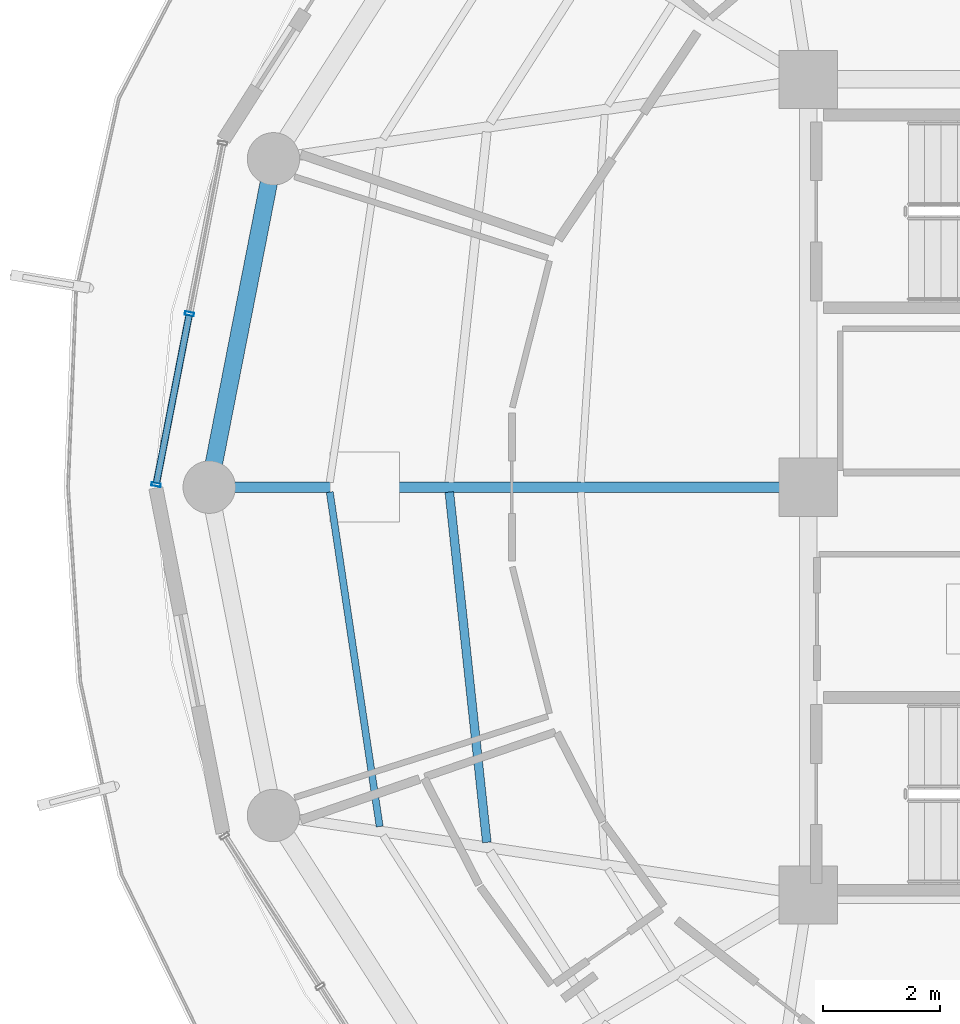
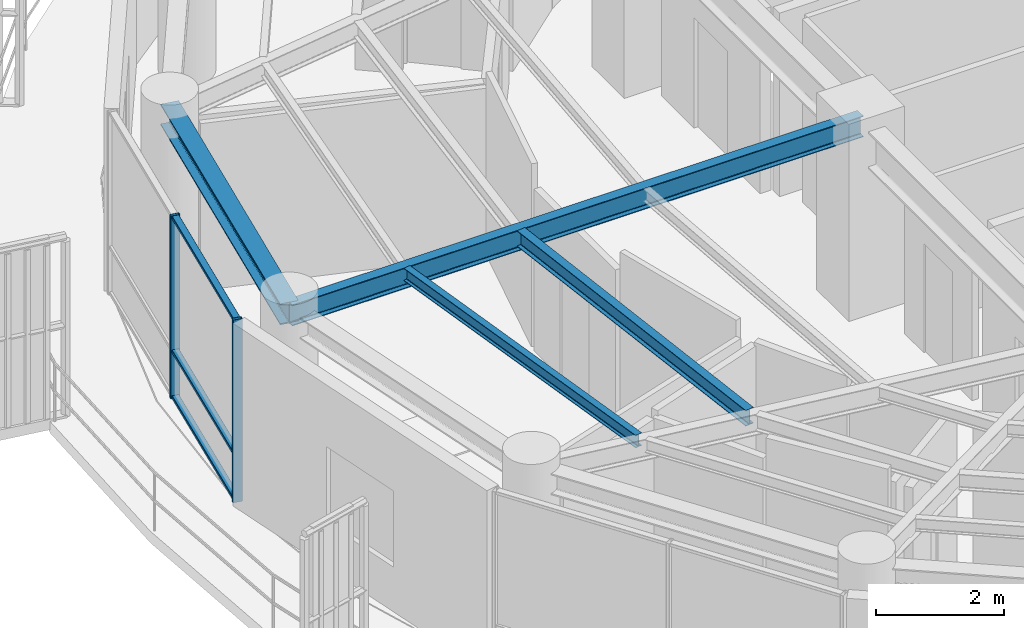
# One storey, part 5 of 22: 5 members, 4 beams, 1 element without a shape of its own.
"""IFC4 building model written with IfcOpenShell, lengths in metres."""

from ifc_helpers import new_model, si_unit, direction, frame, origin, origin_2d, place, context, subcontext, project, spatial, hollow_rectangle, i_section, extrude, material, layer, layer_set, material_profile, profile_set, type_object, element, aggregate, save


model = new_model("IFC4")

# Units and contexts
model_context = context("Model", 3, precision=1e-05, world=origin(), true_north=direction((0.0, 1.0)))
body_context = subcontext(model_context, "Body", "Model", "MODEL_VIEW")
ifc_project = project(units=[si_unit("LENGTHUNIT", "METRE"), si_unit("AREAUNIT", "SQUARE_METRE"), si_unit("VOLUMEUNIT", "CUBIC_METRE"), si_unit("PLANEANGLEUNIT", "RADIAN"), si_unit("MASSUNIT", "GRAM", prefix="KILO")], contexts=[model_context])

# Site, building, storey
site_placement = place(None, origin())
site = spatial("IfcSite", under=ifc_project, at=site_placement, CompositionType="ELEMENT")
building_placement = place(site_placement, origin())
building = spatial("IfcBuilding", under=site, at=building_placement, Name="Kelanora Arch Commons", CompositionType="ELEMENT")
storey_placement = place(building_placement, frame((0.0, 0.0, 271.199951171875)))
storey = spatial("IfcBuildingStorey", under=building, at=storey_placement, Name="L69", CompositionType="ELEMENT", Elevation=271.199951171875)

# Beams
ifc_material_1 = material(Name="Steel S355", Category="steel")
ifc_material_profile_1 = material_profile(ifc_material_1, i_section(OverallWidth=0.14990234375, OverallDepth=0.300048828125, WebThickness=0.007080078125, FlangeThickness=0.0107421875, FilletRadius=0.014892578125, at=origin_2d()), Name="IPE300")
ifc_profile_set_1 = profile_set([ifc_material_profile_1], Name="Steel S355")
beam_type_1 = type_object("IfcBeamType", Name="BM-JST-01", PredefinedType="JOIST", material=ifc_profile_set_1)
beam_1_placement = place(storey_placement, frame((59.841064453125, 57.91552734375, 3.340087890625), z_axis=(0.106380594087, -0.994325484538, 0.0), x_axis=(0.994325484538, 0.106380594087, 0.0)))
element("IfcBeam", 1, at=beam_1_placement, inside=storey, type_object=beam_type_1, Name="Secondary Chord Joist BJB-18 L69", PredefinedType="JOIST", context=body_context, shape_type="SweptSolid", body=[
    extrude(i_section(OverallWidth=0.14990234375, OverallDepth=0.300048828125, WebThickness=0.007080078125, FlangeThickness=0.0107421875, FilletRadius=0.014892578125, at=origin_2d()), origin(), (0.0, 0.0, 1.0), 6.04736328125),
])
ifc_material_profile_2 = material_profile(ifc_material_1, i_section(OverallWidth=0.1201171875, OverallDepth=0.239990234375, WebThickness=0.006103515625, FlangeThickness=0.009765625, FilletRadius=0.014892578125, at=origin_2d()), Name="IPE240")
ifc_profile_set_2 = profile_set([ifc_material_profile_2], Name="Steel S355")
beam_type_2 = type_object("IfcBeamType", Name="BM-JST-02", PredefinedType="JOIST", material=ifc_profile_set_2)
beam_2_placement = place(storey_placement, frame((57.78857421875, 57.916015625, 3.3701171875), z_axis=(0.14762470282, -0.989043450571, 0.0), x_axis=(0.989043450571, 0.14762470282, 0.0)))
element("IfcBeam", 2, at=beam_2_placement, inside=storey, type_object=beam_type_2, Name="Secondary Chord Joist BJC-18 L69", PredefinedType="JOIST", context=body_context, shape_type="SweptSolid", body=[
    extrude(i_section(OverallWidth=0.1201171875, OverallDepth=0.239990234375, WebThickness=0.006103515625, FlangeThickness=0.009765625, FilletRadius=0.014892578125, at=origin_2d()), origin(), (0.0, 0.0, 1.0), 5.804931640625),
])
ifc_material_profile_3 = material_profile(ifc_material_1, i_section(OverallWidth=0.179931640625, OverallDepth=0.39990234375, WebThickness=0.008544921875, FlangeThickness=0.013427734375, FilletRadius=0.02099609375, at=origin_2d()), Name="IPE400")
ifc_profile_set_3 = profile_set([ifc_material_profile_3], Name="Steel S355")
beam_type_3 = type_object("IfcBeamType", Name="BM-RAD-Z5", PredefinedType="BEAM", material=ifc_profile_set_3)
beam_3_placement = place(storey_placement, frame((66.0, 58.0, 3.2900390625), z_axis=(-1.0, 0.0, 0.0), x_axis=(0.0, -1.0, 0.0)))
element("IfcBeam", 3, at=beam_3_placement, inside=storey, type_object=beam_type_3, Name="Radial Floor Girder BR-18 L69", PredefinedType="BEAM", context=body_context, shape_type="SweptSolid", body=[
    extrude(i_section(OverallWidth=0.179931640625, OverallDepth=0.39990234375, WebThickness=0.008544921875, FlangeThickness=0.013427734375, FilletRadius=0.02099609375, at=origin_2d()), origin(), (0.0, 0.0, 1.0), 10.280029296875),
])
ifc_material_profile_4 = material_profile(ifc_material_1, i_section(OverallWidth=0.300048828125, OverallDepth=0.39990234375, WebThickness=0.013427734375, FlangeThickness=0.02392578125, FilletRadius=0.027099609375, at=origin_2d()), Name="HEB400")
ifc_profile_set_4 = profile_set([ifc_material_profile_4], Name="Steel S355")
beam_type_4 = type_object("IfcBeamType", Name="BM-SPN-Z4", PredefinedType="SPANDREL", material=ifc_profile_set_4)
beam_4_placement = place(storey_placement, frame((56.822509765625, 63.636474609375, 3.2900390625), z_axis=(-0.191969774604, -0.981400838413, 0.0), x_axis=(0.981400838413, -0.191969774604, 0.0)))
element("IfcBeam", 4, at=beam_4_placement, inside=storey, type_object=beam_type_4, Name="Perimeter Spandrel Beam BS-16 L69", PredefinedType="SPANDREL", context=body_context, shape_type="SweptSolid", body=[
    extrude(i_section(OverallWidth=0.300048828125, OverallDepth=0.39990234375, WebThickness=0.013427734375, FlangeThickness=0.02392578125, FilletRadius=0.027099609375, at=origin_2d()), origin(), (0.0, 0.0, 1.0), 5.743408203125),
])

# Curtain wall, members
ifc_material_2 = material(Name="Terracotta ceramic-fritted low-E glass and aluminium", Category="masonry")
ifc_layer = layer(ifc_material_2, 0.18994140625)
ifc_layer_set = layer_set([ifc_layer], Name="Terracotta ceramic-fritted low-E glass and aluminium")
curtain_wall_type = type_object("IfcCurtainWallType", Name="CW-SYS-03", PredefinedType="NOTDEFINED", material=ifc_layer_set)
curtain_wall_placement = place(storey_placement, origin())
curtain_wall = element("IfcCurtainWall", 5, at=curtain_wall_placement, inside=storey, type_object=curtain_wall_type, Name="Unitised Curtain Wall L69-B08", PredefinedType="NOTDEFINED")
ifc_material_3 = material(Name="Powder-coated aluminium terracotta", Category="masonry")
ifc_material_profile_5 = material_profile(ifc_material_3, hollow_rectangle(XDim=0.159912109375, YDim=0.06005859375, WallThickness=0.0048828125, InnerFilletRadius=0.0048828125, OuterFilletRadius=0.010009765625, at=origin_2d()), Name="CWM160x60")
ifc_profile_set_5 = profile_set([ifc_material_profile_5], Name="Powder-coated aluminium terracotta")
member_type_1 = type_object("IfcMemberType", Name="CWM-STD", PredefinedType="MULLION", material=ifc_profile_set_5)
member_1_placement = place(storey_placement, frame((55.37890625, 60.9755859375, 0.0), z_axis=(0.0, 0.0, 1.0), x_axis=(0.981595542501, -0.190971701941, 0.0)))
member_1 = element("IfcMember", 6, at=member_1_placement, type_object=member_type_1, Name="CW-03 mullion 2", PredefinedType="MULLION", context=body_context, shape_type="SweptSolid", body=[
    extrude(hollow_rectangle(XDim=0.159912109375, YDim=0.06005859375, WallThickness=0.0048828125, InnerFilletRadius=0.0048828125, OuterFilletRadius=0.010009765625, at=origin_2d()), origin(), (0.0, 0.0, 1.0), 3.47509765625),
])
member_2_placement = place(storey_placement, frame((54.80859375, 58.044189453125, 0.0), z_axis=(0.0, 0.0, 1.0), x_axis=(0.981595542501, -0.190971701941, 0.0)))
member_2 = element("IfcMember", 7, at=member_2_placement, type_object=member_type_1, Name="CW-03 mullion 3", PredefinedType="MULLION", context=body_context, shape_type="SweptSolid", body=[
    extrude(hollow_rectangle(XDim=0.159912109375, YDim=0.06005859375, WallThickness=0.0048828125, InnerFilletRadius=0.0048828125, OuterFilletRadius=0.010009765625, at=origin_2d()), origin(), (0.0, 0.0, 1.0), 3.47509765625),
])
ifc_material_profile_6 = material_profile(ifc_material_3, hollow_rectangle(XDim=0.1201171875, YDim=0.06005859375, WallThickness=0.0048828125, InnerFilletRadius=0.0048828125, OuterFilletRadius=0.010009765625, at=origin_2d()), Name="CWT120x60")
ifc_profile_set_6 = profile_set([ifc_material_profile_6], Name="Powder-coated aluminium terracotta")
member_type_2 = type_object("IfcMemberType", Name="CWT-STD", PredefinedType="USERDEFINED", material=ifc_profile_set_6)
member_3_placement = place(storey_placement, frame((55.373291015625, 60.946044921875, 0.030029296875), z_axis=(-0.190963443354, -0.981597149192, 0.0), x_axis=(0.981597149192, -0.190963443354, 0.0)))
member_3 = element("IfcMember", 8, at=member_3_placement, type_object=member_type_2, Name="CW-03 transom 2.1", ObjectType="TRANSOM", PredefinedType="USERDEFINED", context=body_context, shape_type="SweptSolid", body=[
    extrude(hollow_rectangle(XDim=0.1201171875, YDim=0.06005859375, WallThickness=0.0048828125, InnerFilletRadius=0.0048828125, OuterFilletRadius=0.010009765625, at=origin_2d()), origin(), (0.0, 0.0, 1.0), 2.926513671875),
])
member_4_placement = place(storey_placement, frame((55.373291015625, 60.946044921875, 0.900146484375), z_axis=(-0.190963443354, -0.981597149192, 0.0), x_axis=(0.981597149192, -0.190963443354, 0.0)))
member_4 = element("IfcMember", 9, at=member_4_placement, type_object=member_type_2, Name="CW-03 transom 2.2", ObjectType="TRANSOM", PredefinedType="USERDEFINED", context=body_context, shape_type="SweptSolid", body=[
    extrude(hollow_rectangle(XDim=0.1201171875, YDim=0.06005859375, WallThickness=0.0048828125, InnerFilletRadius=0.0048828125, OuterFilletRadius=0.010009765625, at=origin_2d()), origin(), (0.0, 0.0, 1.0), 2.926513671875),
])
member_5_placement = place(storey_placement, frame((55.373291015625, 60.946044921875, 3.445068359375), z_axis=(-0.190963443354, -0.981597149192, 0.0), x_axis=(0.981597149192, -0.190963443354, 0.0)))
member_5 = element("IfcMember", 10, at=member_5_placement, type_object=member_type_2, Name="CW-03 transom 2.3", ObjectType="TRANSOM", PredefinedType="USERDEFINED", context=body_context, shape_type="SweptSolid", body=[
    extrude(hollow_rectangle(XDim=0.1201171875, YDim=0.06005859375, WallThickness=0.0048828125, InnerFilletRadius=0.0048828125, OuterFilletRadius=0.010009765625, at=origin_2d()), origin(), (0.0, 0.0, 1.0), 2.926513671875),
])
aggregate(curtain_wall, [member_1, member_2, member_3, member_4, member_5])

save(model, "model.ifc")
